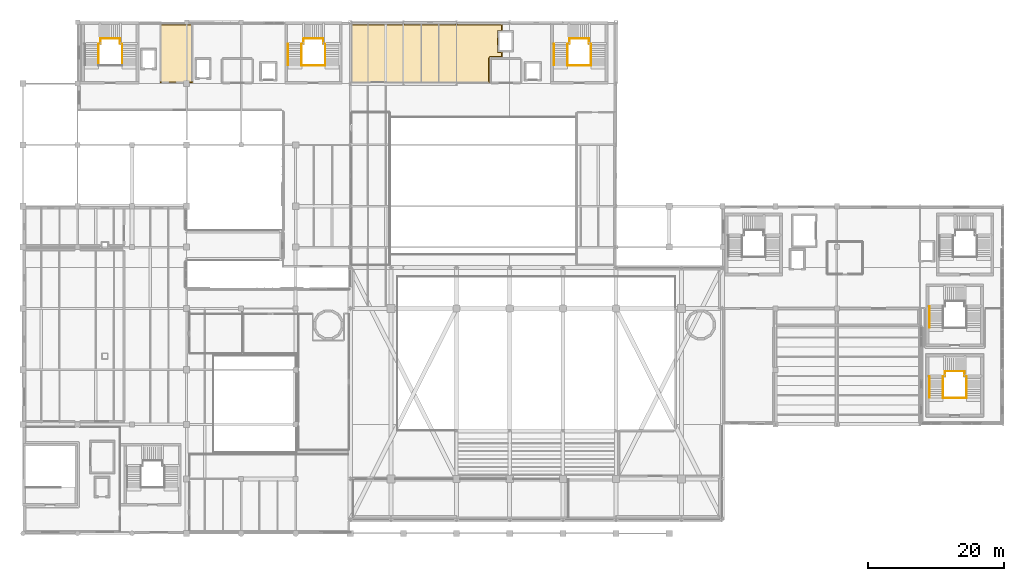
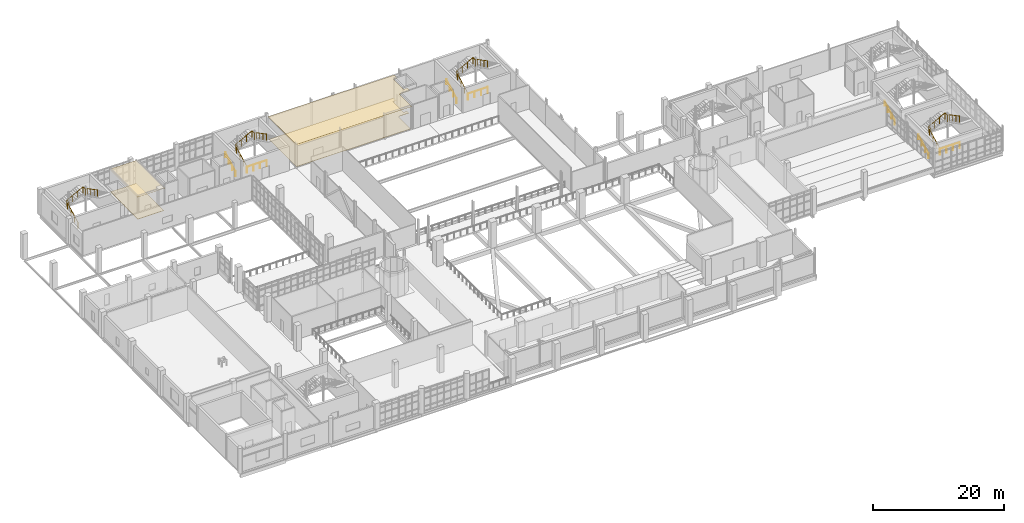
# One storey, part 99 of 100: 11 railings, 4 coverings.
"""IFC4 building model written with IfcOpenShell, lengths in metres."""

from ifc_helpers import new_model, si_unit, derived_unit, direction, frame, origin, origin_2d, place, context, subcontext, project, spatial, polyline, circle, outline, extrude, material, layer, layer_set, type_object, element, save


model = new_model("IFC4")

# Units and contexts
model_context = context("Model", 3, precision=1e-05, world=origin(), true_north=direction((0.0, 1.0)))
body_context = subcontext(model_context, "Body", "Model", "MODEL_VIEW")
ifc_project = project(units=[si_unit("LENGTHUNIT", "METRE"), si_unit("AREAUNIT", "SQUARE_METRE"), si_unit("VOLUMEUNIT", "CUBIC_METRE"), si_unit("PLANEANGLEUNIT", "RADIAN"), si_unit("MASSUNIT", "GRAM", prefix="KILO"), derived_unit("THERMALTRANSMITTANCEUNIT", [(si_unit("POWERUNIT", "WATT"), 1), (si_unit("LENGTHUNIT", "METRE"), -2), (si_unit("THERMODYNAMICTEMPERATUREUNIT", "KELVIN"), -1)])], contexts=[model_context])

# Site, building, storey
site_placement = place(None, origin())
site = spatial("IfcSite", under=ifc_project, at=site_placement, CompositionType="ELEMENT")
building_placement = place(site_placement, origin())
building = spatial("IfcBuilding", under=site, at=building_placement, Name="Nallur Shell Playhouse", CompositionType="ELEMENT")
storey_placement = place(building_placement, frame((0.0, 0.0, 10.199951171875)))
storey = spatial("IfcBuildingStorey", under=building, at=storey_placement, Name="L03", CompositionType="ELEMENT", Elevation=10.199951171875)

# Coverings
ifc_material_1 = material(Name="Micro-Perforated Teak Veneer Acoustic Baffle Ceiling")
ifc_layer_1 = layer(ifc_material_1, 0.044921875)
ifc_layer_set_1 = layer_set([ifc_layer_1], Name="Micro-Perforated Teak Veneer Acoustic Baffle Ceiling")
covering_type_1 = type_object("IfcCoveringType", Name="CV-CEIL-AC1", PredefinedType="CEILING", material=ifc_layer_set_1)
covering_1_placement = place(storey_placement, frame((0.0, 0.0, 4.205078125)))
element("IfcCovering", 1, at=covering_1_placement, inside=storey, type_object=covering_type_1, Name="Set & Lighting Designers Drafting Studio suspended acoustic ceiling", PredefinedType="CEILING", context=body_context, shape_type="SweptSolid", body=[
    extrude(outline(polyline([(84.59912109375, 77.8701171875), (84.585205078125, 77.869384765625), (84.580810546875, 77.868896484375), (84.569580078125, 77.8671875), (84.56494140625, 77.8662109375), (84.552978515625, 77.86328125), (84.548583984375, 77.86181640625), (84.537109375, 77.85791015625), (84.533447265625, 77.856201171875), (84.521728515625, 77.850830078125), (84.517822265625, 77.8486328125), (84.50732421875, 77.84228515625), (84.50341796875, 77.83984375), (84.494384765625, 77.8330078125), (84.490966796875, 77.830078125), (84.4814453125, 77.821533203125), (84.478515625, 77.818603515625), (84.4697265625, 77.80908203125), (84.466796875, 77.8056640625), (84.460205078125, 77.796630859375), (84.457763671875, 77.792724609375), (84.451416015625, 77.7822265625), (84.44921875, 77.7783203125), (84.443603515625, 77.7666015625), (84.442138671875, 77.7626953125), (84.43798828125, 77.75146484375), (84.436767578125, 77.7470703125), (84.433837890625, 77.735107421875), (84.432861328125, 77.73046875), (84.43115234375, 77.71923828125), (84.4306640625, 77.714599609375), (84.429931640625, 77.700927734375), (84.429931640625, 77.698974609375), (84.429931640625, 74.090087890625), (64.090087890625, 74.090087890625), (64.090087890625, 82.7099609375), (86.31005859375, 82.7099609375), (86.31005859375, 81.7099609375), (85.68994140625, 81.7099609375), (85.68994140625, 78.68994140625), (86.31005859375, 78.68994140625), (86.31005859375, 77.8701171875), (84.60107421875, 77.8701171875), (84.59912109375, 77.8701171875)])), origin(), (0.0, 0.0, 1.0), 0.044921875),
])
ifc_material_2 = material(Name="Mineral-Fibre High-NRC Suspended Ceiling Tile")
ifc_layer_2 = layer(ifc_material_2, 0.030029296875)
ifc_layer_set_2 = layer_set([ifc_layer_2], Name="Mineral-Fibre High-NRC Suspended Ceiling Tile")
covering_type_2 = type_object("IfcCoveringType", Name="CV-CEIL-AC2", PredefinedType="CEILING", material=ifc_layer_set_2)
covering_2_placement = place(storey_placement, frame((0.0, 0.0, 4.219970703125)))
element("IfcCovering", 2, at=covering_2_placement, inside=storey, type_object=covering_type_2, Name="Millinery, Dyeing & Mask Craft Studio suspended acoustic ceiling", PredefinedType="CEILING", context=body_context, shape_type="SweptSolid", body=[
    extrude(outline(polyline([(40.909912109375, 82.7099609375), (40.909912109375, 74.090087890625), (36.090087890625, 74.090087890625), (36.090087890625, 82.7099609375), (40.909912109375, 82.7099609375)])), origin(), (0.0, 0.0, 1.0), 0.030029296875),
])
ifc_material_3 = material(Name="Polished Chettinad Oxide & White Marble Terrazzo Flooring", Category="masonry")
ifc_layer_3 = layer(ifc_material_3, 0.050048828125)
ifc_layer_set_3 = layer_set([ifc_layer_3], Name="Polished Chettinad Oxide & White Marble Terrazzo Flooring")
covering_type_3 = type_object("IfcCoveringType", Name="CV-FLOR-TERRAZZO", PredefinedType="FLOORING", material=ifc_layer_set_3)
covering_3_placement = place(storey_placement, origin())
element("IfcCovering", 3, at=covering_3_placement, inside=storey, type_object=covering_type_3, Name="Millinery, Dyeing & Mask Craft Studio floor finish", PredefinedType="FLOORING", context=body_context, shape_type="SweptSolid", body=[
    extrude(outline(polyline([(40.800048828125, 82.60009765625), (40.800048828125, 74.199951171875), (36.199951171875, 74.199951171875), (36.199951171875, 82.60009765625), (40.800048828125, 82.60009765625)])), origin(), (0.0, 0.0, 1.0), 0.050048828125),
])
ifc_material_4 = material(Name="Sprung Semi-Resilient Stage & Dance Hardwood Flooring", Category="wood")
ifc_layer_4 = layer(ifc_material_4, 0.054931640625)
ifc_layer_set_4 = layer_set([ifc_layer_4], Name="Sprung Semi-Resilient Stage & Dance Hardwood Flooring")
covering_type_4 = type_object("IfcCoveringType", Name="CV-FLOR-TIMBER", PredefinedType="FLOORING", material=ifc_layer_set_4)
covering_4_placement = place(storey_placement, origin())
element("IfcCovering", 4, at=covering_4_placement, inside=storey, type_object=covering_type_4, Name="Set & Lighting Designers Drafting Studio floor finish", PredefinedType="FLOORING", context=body_context, shape_type="SweptSolid", body=[
    extrude(outline(polyline([(85.6328125, 81.80810546875), (85.62451171875, 81.802978515625), (85.61669921875, 81.79736328125), (85.609375, 81.790771484375), (85.602783203125, 81.783447265625), (85.596923828125, 81.775634765625), (85.591796875, 81.76708984375), (85.587646484375, 81.75830078125), (85.584228515625, 81.7490234375), (85.581787109375, 81.739501953125), (85.58056640625, 81.729736328125), (85.580078125, 81.719970703125), (85.580078125, 78.679931640625), (85.58056640625, 78.670166015625), (85.581787109375, 78.660400390625), (85.584228515625, 78.65087890625), (85.587646484375, 78.6416015625), (85.591796875, 78.6328125), (85.596923828125, 78.62451171875), (85.602783203125, 78.61669921875), (85.609375, 78.609375), (85.61669921875, 78.602783203125), (85.62451171875, 78.596923828125), (85.6328125, 78.591796875), (85.6416015625, 78.587646484375), (85.65087890625, 78.584228515625), (85.660400390625, 78.581787109375), (85.670166015625, 78.58056640625), (85.679931640625, 78.580078125), (86.199951171875, 78.580078125), (86.199951171875, 77.97998046875), (84.60009765625, 77.97998046875), (84.59521484375, 77.97998046875), (84.577392578125, 77.97900390625), (84.567626953125, 77.97802734375), (84.55029296875, 77.9755859375), (84.54052734375, 77.973388671875), (84.5234375, 77.96923828125), (84.51416015625, 77.96630859375), (84.497314453125, 77.96044921875), (84.48828125, 77.956787109375), (84.472412109375, 77.94921875), (84.463623046875, 77.944580078125), (84.448486328125, 77.935302734375), (84.4404296875, 77.929931640625), (84.42626953125, 77.91943359375), (84.418701171875, 77.9130859375), (84.405517578125, 77.9013671875), (84.398681640625, 77.894287109375), (84.38671875, 77.88134765625), (84.380615234375, 77.873779296875), (84.3701171875, 77.859619140625), (84.364501953125, 77.851318359375), (84.35546875, 77.836181640625), (84.350830078125, 77.82763671875), (84.34326171875, 77.8115234375), (84.339599609375, 77.802490234375), (84.33349609375, 77.785888671875), (84.330810546875, 77.776611328125), (84.326416015625, 77.759521484375), (84.324462890625, 77.749755859375), (84.322021484375, 77.732421875), (84.321044921875, 77.722412109375), (84.320068359375, 77.704833984375), (84.320068359375, 77.699951171875), (84.320068359375, 74.199951171875), (64.199951171875, 74.199951171875), (64.199951171875, 82.60009765625), (86.199951171875, 82.60009765625), (86.199951171875, 81.820068359375), (85.679931640625, 81.820068359375), (85.670166015625, 81.819580078125), (85.660400390625, 81.818115234375), (85.65087890625, 81.815673828125), (85.6416015625, 81.8125), (85.6328125, 81.80810546875)])), origin(), (0.0, 0.0, 1.0), 0.054931640625),
])

# Railings
ifc_material_5 = material(Name="Brushed Stainless Steel 316 Balustrade & Toughened Infill", Category="steel")
railing_type_1 = type_object("IfcRailingType", Name="RL-GUARD-1100", PredefinedType="BALUSTRADE", material=ifc_material_5)
railing_1_placement = place(storey_placement, frame((56.860107421875, 76.699951171875, 0.0)))
element("IfcRailing", 5, at=railing_1_placement, inside=storey, type_object=railing_type_1, Name="Stair ST-03-L03 inner open-well guard", PredefinedType="BALUSTRADE", context=body_context, shape_type="SweptSolid", body=[
    extrude(circle(Radius=0.02392578125, at=origin_2d()), frame((0.0, 0.0, 1.15576171875), z_axis=(0.0, 0.885215135385, 0.465181861302), x_axis=(-1.0, 0.0, 0.0)), (0.0, 0.0, 1.0), 3.54736328125),
    extrude(circle(Radius=0.02392578125, at=origin_2d()), frame((0.0, 3.14013671875, 2.80615234375), z_axis=(1.0, 0.0, 0.0), x_axis=(0.0, 1.0, 0.0)), (0.0, 0.0, 1.0), 0.304931640625),
    extrude(circle(Radius=0.02392578125, at=origin_2d()), frame((0.304931640625, 3.14013671875, 2.80615234375), z_axis=(0.0, 1.0, 0.0), x_axis=(-1.0, 0.0, 0.0)), (0.0, 0.0, 1.0), 0.760009765625),
    extrude(circle(Radius=0.02392578125, at=origin_2d()), frame((0.304931640625, 3.900146484375, 2.80615234375), z_axis=(0.886245843587, 0.0, 0.46321518188), x_axis=(0.0, 1.0, 0.0)), (0.0, 0.0, 1.0), 3.23828125),
    extrude(circle(Radius=0.02392578125, at=origin_2d()), frame((3.1748046875, 3.900146484375, 4.30615234375), z_axis=(0.0, -1.0, 0.0), x_axis=(1.0, 0.0, 0.0)), (0.0, 0.0, 1.0), 0.760009765625),
    extrude(circle(Radius=0.02392578125, at=origin_2d()), frame((3.1748046875, 3.14013671875, 4.30615234375), z_axis=(1.0, 0.0, 0.0), x_axis=(0.0, 1.0, 0.0)), (0.0, 0.0, 1.0), 0.30517578125),
    extrude(circle(Radius=0.02392578125, at=origin_2d()), frame((3.47998046875, 3.14013671875, 4.30615234375), z_axis=(0.0, -0.885243475438, 0.465127927773), x_axis=(1.0, 0.0, 0.0)), (0.0, 0.0, 1.0), 3.547119140625),
    extrude(circle(Radius=0.02099609375, at=origin_2d()), origin(), (0.0, 0.0, 1.0), 1.1318359375),
    extrude(circle(Radius=0.02099609375, at=origin_2d()), frame((0.0, 1.046630859375, 0.550048828125)), (0.0, 0.0, 1.0), 1.1318359375),
    extrude(circle(Radius=0.02099609375, at=origin_2d()), frame((0.0, 2.093505859375, 1.10009765625)), (0.0, 0.0, 1.0), 1.1318359375),
    extrude(circle(Radius=0.02099609375, at=origin_2d()), frame((0.0, 3.14013671875, 1.650146484375)), (0.0, 0.0, 1.0), 1.1318359375),
    extrude(circle(Radius=0.02099609375, at=origin_2d()), frame((0.304931640625, 3.14013671875, 1.650146484375)), (0.0, 0.0, 1.0), 1.1318359375),
    extrude(circle(Radius=0.02099609375, at=origin_2d()), frame((0.304931640625, 3.900146484375, 1.650146484375)), (0.0, 0.0, 1.0), 1.1318359375),
    extrude(circle(Radius=0.02099609375, at=origin_2d()), frame((1.261474609375, 3.900146484375, 2.150146484375)), (0.0, 0.0, 1.0), 1.1318359375),
    extrude(circle(Radius=0.02099609375, at=origin_2d()), frame((2.21826171875, 3.900146484375, 2.650146484375)), (0.0, 0.0, 1.0), 1.1318359375),
    extrude(circle(Radius=0.02099609375, at=origin_2d()), frame((3.1748046875, 3.900146484375, 3.150146484375)), (0.0, 0.0, 1.0), 1.1318359375),
    extrude(circle(Radius=0.02099609375, at=origin_2d()), frame((3.1748046875, 3.14013671875, 3.150146484375)), (0.0, 0.0, 1.0), 1.1318359375),
    extrude(circle(Radius=0.02099609375, at=origin_2d()), frame((3.47998046875, 3.14013671875, 3.150146484375)), (0.0, 0.0, 1.0), 1.1318359375),
    extrude(circle(Radius=0.02099609375, at=origin_2d()), frame((3.47998046875, 2.093505859375, 3.7001953125)), (0.0, 0.0, 1.0), 1.1318359375),
    extrude(circle(Radius=0.02099609375, at=origin_2d()), frame((3.47998046875, 1.046630859375, 4.25)), (0.0, 0.0, 1.0), 1.1318359375),
    extrude(circle(Radius=0.02099609375, at=origin_2d()), frame((3.47998046875, 0.0, 4.800048828125)), (0.0, 0.0, 1.0), 1.1318359375),
])
railing_2_placement = place(storey_placement, frame((56.860107421875, 76.639892578125, 0.0)))
element("IfcRailing", 6, at=railing_2_placement, inside=storey, type_object=railing_type_1, Name="Stair ST-03-L03 floor-well guard", PredefinedType="BALUSTRADE", context=body_context, shape_type="SweptSolid", body=[
    extrude(circle(Radius=0.02392578125, at=origin_2d()), frame((0.0, 0.0, 1.09619140625), z_axis=(1.0, 0.0, 0.0), x_axis=(0.0, 1.0, 0.0)), (0.0, 0.0, 1.0), 3.47998046875),
    extrude(circle(Radius=0.02099609375, at=origin_2d()), origin(), (0.0, 0.0, 1.0), 1.072021484375),
    extrude(circle(Radius=0.02099609375, at=origin_2d()), frame((1.159912109375, 0.0, 0.0)), (0.0, 0.0, 1.0), 1.072021484375),
    extrude(circle(Radius=0.02099609375, at=origin_2d()), frame((2.320068359375, 0.0, 0.0)), (0.0, 0.0, 1.0), 1.072021484375),
    extrude(circle(Radius=0.02099609375, at=origin_2d()), frame((3.47998046875, 0.0, 0.0)), (0.0, 0.0, 1.0), 1.072021484375),
])
railing_3_placement = place(storey_placement, frame((95.860107421875, 76.699951171875, 0.0)))
element("IfcRailing", 7, at=railing_3_placement, inside=storey, type_object=railing_type_1, Name="Stair ST-04-L03 inner open-well guard", PredefinedType="BALUSTRADE", context=body_context, shape_type="SweptSolid", body=[
    extrude(circle(Radius=0.02392578125, at=origin_2d()), frame((0.0, 0.0, 1.15576171875), z_axis=(0.0, 0.885215135385, 0.465181861302), x_axis=(-1.0, 0.0, 0.0)), (0.0, 0.0, 1.0), 3.54736328125),
    extrude(circle(Radius=0.02392578125, at=origin_2d()), frame((0.0, 3.14013671875, 2.80615234375), z_axis=(1.0, 0.0, 0.0), x_axis=(0.0, 1.0, 0.0)), (0.0, 0.0, 1.0), 0.304931640625),
    extrude(circle(Radius=0.02392578125, at=origin_2d()), frame((0.304931640625, 3.14013671875, 2.80615234375), z_axis=(0.0, 1.0, 0.0), x_axis=(-1.0, 0.0, 0.0)), (0.0, 0.0, 1.0), 0.760009765625),
    extrude(circle(Radius=0.02392578125, at=origin_2d()), frame((0.304931640625, 3.900146484375, 2.80615234375), z_axis=(0.886245843587, 0.0, 0.46321518188), x_axis=(0.0, 1.0, 0.0)), (0.0, 0.0, 1.0), 3.23828125),
    extrude(circle(Radius=0.02392578125, at=origin_2d()), frame((3.1748046875, 3.900146484375, 4.30615234375), z_axis=(0.0, -1.0, 0.0), x_axis=(1.0, 0.0, 0.0)), (0.0, 0.0, 1.0), 0.760009765625),
    extrude(circle(Radius=0.02392578125, at=origin_2d()), frame((3.1748046875, 3.14013671875, 4.30615234375), z_axis=(1.0, 0.0, 0.0), x_axis=(0.0, 1.0, 0.0)), (0.0, 0.0, 1.0), 0.30517578125),
    extrude(circle(Radius=0.02392578125, at=origin_2d()), frame((3.47998046875, 3.14013671875, 4.30615234375), z_axis=(0.0, -0.885243475438, 0.465127927773), x_axis=(1.0, 0.0, 0.0)), (0.0, 0.0, 1.0), 3.547119140625),
    extrude(circle(Radius=0.02099609375, at=origin_2d()), origin(), (0.0, 0.0, 1.0), 1.1318359375),
    extrude(circle(Radius=0.02099609375, at=origin_2d()), frame((0.0, 1.046630859375, 0.550048828125)), (0.0, 0.0, 1.0), 1.1318359375),
    extrude(circle(Radius=0.02099609375, at=origin_2d()), frame((0.0, 2.093505859375, 1.10009765625)), (0.0, 0.0, 1.0), 1.1318359375),
    extrude(circle(Radius=0.02099609375, at=origin_2d()), frame((0.0, 3.14013671875, 1.650146484375)), (0.0, 0.0, 1.0), 1.1318359375),
    extrude(circle(Radius=0.02099609375, at=origin_2d()), frame((0.304931640625, 3.14013671875, 1.650146484375)), (0.0, 0.0, 1.0), 1.1318359375),
    extrude(circle(Radius=0.02099609375, at=origin_2d()), frame((0.304931640625, 3.900146484375, 1.650146484375)), (0.0, 0.0, 1.0), 1.1318359375),
    extrude(circle(Radius=0.02099609375, at=origin_2d()), frame((1.261474609375, 3.900146484375, 2.150146484375)), (0.0, 0.0, 1.0), 1.1318359375),
    extrude(circle(Radius=0.02099609375, at=origin_2d()), frame((2.21826171875, 3.900146484375, 2.650146484375)), (0.0, 0.0, 1.0), 1.1318359375),
    extrude(circle(Radius=0.02099609375, at=origin_2d()), frame((3.1748046875, 3.900146484375, 3.150146484375)), (0.0, 0.0, 1.0), 1.1318359375),
    extrude(circle(Radius=0.02099609375, at=origin_2d()), frame((3.1748046875, 3.14013671875, 3.150146484375)), (0.0, 0.0, 1.0), 1.1318359375),
    extrude(circle(Radius=0.02099609375, at=origin_2d()), frame((3.47998046875, 3.14013671875, 3.150146484375)), (0.0, 0.0, 1.0), 1.1318359375),
    extrude(circle(Radius=0.02099609375, at=origin_2d()), frame((3.47998046875, 2.093505859375, 3.7001953125)), (0.0, 0.0, 1.0), 1.1318359375),
    extrude(circle(Radius=0.02099609375, at=origin_2d()), frame((3.47998046875, 1.046630859375, 4.25)), (0.0, 0.0, 1.0), 1.1318359375),
    extrude(circle(Radius=0.02099609375, at=origin_2d()), frame((3.47998046875, 0.0, 4.800048828125)), (0.0, 0.0, 1.0), 1.1318359375),
])
railing_4_placement = place(storey_placement, frame((95.860107421875, 76.639892578125, 0.0)))
element("IfcRailing", 8, at=railing_4_placement, inside=storey, type_object=railing_type_1, Name="Stair ST-04-L03 floor-well guard", PredefinedType="BALUSTRADE", context=body_context, shape_type="SweptSolid", body=[
    extrude(circle(Radius=0.02392578125, at=origin_2d()), frame((0.0, 0.0, 1.09619140625), z_axis=(1.0, 0.0, 0.0), x_axis=(0.0, 1.0, 0.0)), (0.0, 0.0, 1.0), 3.47998046875),
    extrude(circle(Radius=0.02099609375, at=origin_2d()), origin(), (0.0, 0.0, 1.0), 1.072021484375),
    extrude(circle(Radius=0.02099609375, at=origin_2d()), frame((1.159912109375, 0.0, 0.0)), (0.0, 0.0, 1.0), 1.072021484375),
    extrude(circle(Radius=0.02099609375, at=origin_2d()), frame((2.320068359375, 0.0, 0.0)), (0.0, 0.0, 1.0), 1.072021484375),
    extrude(circle(Radius=0.02099609375, at=origin_2d()), frame((3.47998046875, 0.0, 0.0)), (0.0, 0.0, 1.0), 1.072021484375),
])
railing_5_placement = place(storey_placement, frame((27.06005859375, 76.699951171875, 0.0)))
element("IfcRailing", 9, at=railing_5_placement, inside=storey, type_object=railing_type_1, Name="Stair ST-06-L03 inner open-well guard", PredefinedType="BALUSTRADE", context=body_context, shape_type="SweptSolid", body=[
    extrude(circle(Radius=0.02392578125, at=origin_2d()), frame((0.0, 0.0, 1.15576171875), z_axis=(0.0, 0.885215135385, 0.465181861302), x_axis=(-1.0, 0.0, 0.0)), (0.0, 0.0, 1.0), 3.54736328125),
    extrude(circle(Radius=0.02392578125, at=origin_2d()), frame((0.0, 3.14013671875, 2.80615234375), z_axis=(1.0, 0.0, 0.0), x_axis=(0.0, 1.0, 0.0)), (0.0, 0.0, 1.0), 0.304931640625),
    extrude(circle(Radius=0.02392578125, at=origin_2d()), frame((0.304931640625, 3.14013671875, 2.80615234375), z_axis=(0.0, 1.0, 0.0), x_axis=(-1.0, 0.0, 0.0)), (0.0, 0.0, 1.0), 0.760009765625),
    extrude(circle(Radius=0.02392578125, at=origin_2d()), frame((0.304931640625, 3.900146484375, 2.80615234375), z_axis=(0.886262018935, 0.0, 0.463184233101), x_axis=(0.0, 1.0, 0.0)), (0.0, 0.0, 1.0), 3.238525390625),
    extrude(circle(Radius=0.02392578125, at=origin_2d()), frame((3.175048828125, 3.900146484375, 4.30615234375), z_axis=(0.0, -1.0, 0.0), x_axis=(1.0, 0.0, 0.0)), (0.0, 0.0, 1.0), 0.760009765625),
    extrude(circle(Radius=0.02392578125, at=origin_2d()), frame((3.175048828125, 3.14013671875, 4.30615234375), z_axis=(1.0, 0.0, 0.0), x_axis=(0.0, 1.0, 0.0)), (0.0, 0.0, 1.0), 0.304931640625),
    extrude(circle(Radius=0.02392578125, at=origin_2d()), frame((3.47998046875, 3.14013671875, 4.30615234375), z_axis=(0.0, -0.885243475438, 0.465127927773), x_axis=(1.0, 0.0, 0.0)), (0.0, 0.0, 1.0), 3.547119140625),
    extrude(circle(Radius=0.02099609375, at=origin_2d()), origin(), (0.0, 0.0, 1.0), 1.1318359375),
    extrude(circle(Radius=0.02099609375, at=origin_2d()), frame((0.0, 1.046630859375, 0.550048828125)), (0.0, 0.0, 1.0), 1.1318359375),
    extrude(circle(Radius=0.02099609375, at=origin_2d()), frame((0.0, 2.093505859375, 1.10009765625)), (0.0, 0.0, 1.0), 1.1318359375),
    extrude(circle(Radius=0.02099609375, at=origin_2d()), frame((0.0, 3.14013671875, 1.650146484375)), (0.0, 0.0, 1.0), 1.1318359375),
    extrude(circle(Radius=0.02099609375, at=origin_2d()), frame((0.304931640625, 3.14013671875, 1.650146484375)), (0.0, 0.0, 1.0), 1.1318359375),
    extrude(circle(Radius=0.02099609375, at=origin_2d()), frame((0.304931640625, 3.900146484375, 1.650146484375)), (0.0, 0.0, 1.0), 1.1318359375),
    extrude(circle(Radius=0.02099609375, at=origin_2d()), frame((1.26171875, 3.900146484375, 2.150146484375)), (0.0, 0.0, 1.0), 1.1318359375),
    extrude(circle(Radius=0.02099609375, at=origin_2d()), frame((2.21826171875, 3.900146484375, 2.650146484375)), (0.0, 0.0, 1.0), 1.1318359375),
    extrude(circle(Radius=0.02099609375, at=origin_2d()), frame((3.175048828125, 3.900146484375, 3.150146484375)), (0.0, 0.0, 1.0), 1.1318359375),
    extrude(circle(Radius=0.02099609375, at=origin_2d()), frame((3.175048828125, 3.14013671875, 3.150146484375)), (0.0, 0.0, 1.0), 1.1318359375),
    extrude(circle(Radius=0.02099609375, at=origin_2d()), frame((3.47998046875, 3.14013671875, 3.150146484375)), (0.0, 0.0, 1.0), 1.1318359375),
    extrude(circle(Radius=0.02099609375, at=origin_2d()), frame((3.47998046875, 2.093505859375, 3.7001953125)), (0.0, 0.0, 1.0), 1.1318359375),
    extrude(circle(Radius=0.02099609375, at=origin_2d()), frame((3.47998046875, 1.046630859375, 4.25)), (0.0, 0.0, 1.0), 1.1318359375),
    extrude(circle(Radius=0.02099609375, at=origin_2d()), frame((3.47998046875, 0.0, 4.800048828125)), (0.0, 0.0, 1.0), 1.1318359375),
])
railing_6_placement = place(storey_placement, frame((150.9599609375, 27.89990234375, 0.0)))
element("IfcRailing", 10, at=railing_6_placement, inside=storey, type_object=railing_type_1, Name="Stair ST-08-L03 inner open-well guard", PredefinedType="BALUSTRADE", context=body_context, shape_type="SweptSolid", body=[
    extrude(circle(Radius=0.02392578125, at=origin_2d()), frame((0.0, 0.0, 1.15576171875), z_axis=(0.0, 0.885215135385, 0.465181861302), x_axis=(-1.0, 0.0, 0.0)), (0.0, 0.0, 1.0), 3.54736328125),
    extrude(circle(Radius=0.02392578125, at=origin_2d()), frame((0.0, 3.14013671875, 2.80615234375), z_axis=(1.0, 0.0, 0.0), x_axis=(0.0, 1.0, 0.0)), (0.0, 0.0, 1.0), 0.304931640625),
    extrude(circle(Radius=0.02392578125, at=origin_2d()), frame((0.304931640625, 3.14013671875, 2.80615234375), z_axis=(0.0, 1.0, 0.0), x_axis=(-1.0, 0.0, 0.0)), (0.0, 0.0, 1.0), 0.760009765625),
    extrude(circle(Radius=0.02392578125, at=origin_2d()), frame((0.304931640625, 3.900146484375, 2.80615234375), z_axis=(0.886262018935, 0.0, 0.463184233101), x_axis=(0.0, 1.0, 0.0)), (0.0, 0.0, 1.0), 3.238525390625),
    extrude(circle(Radius=0.02392578125, at=origin_2d()), frame((3.175048828125, 3.900146484375, 4.30615234375), z_axis=(0.0, -1.0, 0.0), x_axis=(1.0, 0.0, 0.0)), (0.0, 0.0, 1.0), 0.760009765625),
    extrude(circle(Radius=0.02392578125, at=origin_2d()), frame((3.175048828125, 3.14013671875, 4.30615234375), z_axis=(1.0, 0.0, 0.0), x_axis=(0.0, 1.0, 0.0)), (0.0, 0.0, 1.0), 0.304931640625),
    extrude(circle(Radius=0.02392578125, at=origin_2d()), frame((3.47998046875, 3.14013671875, 4.30615234375), z_axis=(0.0, -0.885243475438, 0.465127927773), x_axis=(1.0, 0.0, 0.0)), (0.0, 0.0, 1.0), 3.547119140625),
    extrude(circle(Radius=0.02099609375, at=origin_2d()), origin(), (0.0, 0.0, 1.0), 1.1318359375),
    extrude(circle(Radius=0.02099609375, at=origin_2d()), frame((0.0, 1.046630859375, 0.550048828125)), (0.0, 0.0, 1.0), 1.1318359375),
    extrude(circle(Radius=0.02099609375, at=origin_2d()), frame((0.0, 2.093505859375, 1.10009765625)), (0.0, 0.0, 1.0), 1.1318359375),
    extrude(circle(Radius=0.02099609375, at=origin_2d()), frame((0.0, 3.14013671875, 1.650146484375)), (0.0, 0.0, 1.0), 1.1318359375),
    extrude(circle(Radius=0.02099609375, at=origin_2d()), frame((0.304931640625, 3.14013671875, 1.650146484375)), (0.0, 0.0, 1.0), 1.1318359375),
    extrude(circle(Radius=0.02099609375, at=origin_2d()), frame((0.304931640625, 3.900146484375, 1.650146484375)), (0.0, 0.0, 1.0), 1.1318359375),
    extrude(circle(Radius=0.02099609375, at=origin_2d()), frame((1.26171875, 3.900146484375, 2.150146484375)), (0.0, 0.0, 1.0), 1.1318359375),
    extrude(circle(Radius=0.02099609375, at=origin_2d()), frame((2.21826171875, 3.900146484375, 2.650146484375)), (0.0, 0.0, 1.0), 1.1318359375),
    extrude(circle(Radius=0.02099609375, at=origin_2d()), frame((3.175048828125, 3.900146484375, 3.150146484375)), (0.0, 0.0, 1.0), 1.1318359375),
    extrude(circle(Radius=0.02099609375, at=origin_2d()), frame((3.175048828125, 3.14013671875, 3.150146484375)), (0.0, 0.0, 1.0), 1.1318359375),
    extrude(circle(Radius=0.02099609375, at=origin_2d()), frame((3.47998046875, 3.14013671875, 3.150146484375)), (0.0, 0.0, 1.0), 1.1318359375),
    extrude(circle(Radius=0.02099609375, at=origin_2d()), frame((3.47998046875, 2.093505859375, 3.7001953125)), (0.0, 0.0, 1.0), 1.1318359375),
    extrude(circle(Radius=0.02099609375, at=origin_2d()), frame((3.47998046875, 1.046630859375, 4.25)), (0.0, 0.0, 1.0), 1.1318359375),
    extrude(circle(Radius=0.02099609375, at=origin_2d()), frame((3.47998046875, 0.0, 4.800048828125)), (0.0, 0.0, 1.0), 1.1318359375),
])
railing_7_placement = place(storey_placement, frame((150.9599609375, 27.840087890625, 0.0)))
element("IfcRailing", 11, at=railing_7_placement, inside=storey, type_object=railing_type_1, Name="Stair ST-08-L03 floor-well guard", PredefinedType="BALUSTRADE", context=body_context, shape_type="SweptSolid", body=[
    extrude(circle(Radius=0.02392578125, at=origin_2d()), frame((0.0, 0.0, 1.09619140625), z_axis=(1.0, 0.0, 0.0), x_axis=(0.0, 1.0, 0.0)), (0.0, 0.0, 1.0), 3.47998046875),
    extrude(circle(Radius=0.02099609375, at=origin_2d()), origin(), (0.0, 0.0, 1.0), 1.072021484375),
    extrude(circle(Radius=0.02099609375, at=origin_2d()), frame((1.159912109375, 0.0, 0.0)), (0.0, 0.0, 1.0), 1.072021484375),
    extrude(circle(Radius=0.02099609375, at=origin_2d()), frame((2.320068359375, 0.0, 0.0)), (0.0, 0.0, 1.0), 1.072021484375),
    extrude(circle(Radius=0.02099609375, at=origin_2d()), frame((3.47998046875, 0.0, 0.0)), (0.0, 0.0, 1.0), 1.072021484375),
])
ifc_material_6 = material(Name="Stainless Steel 316 Continuous Tubular Handrail", Category="steel")
railing_type_2 = type_object("IfcRailingType", Name="RL-HANDRAIL-900", PredefinedType="HANDRAIL", material=ifc_material_6)
for number, where, name in (
    (12, (54.8798828125, 76.699951171875, 0.0), "Stair ST-03-L03 outer handrail F1"),
    (13, (93.8798828125, 76.699951171875, 0.0), "Stair ST-04-L03 outer handrail F1"),
    (14, (148.97998046875, 27.89990234375, 0.0), "Stair ST-08-L03 outer handrail F1"),
    (15, (148.97998046875, 38.199951171875, 0.0), "Stair ST-09-L03 outer handrail F1"),
):
    element("IfcRailing", number, at=place(storey_placement, frame(where)), inside=storey, type_object=railing_type_2, Name=name, PredefinedType="HANDRAIL", context=body_context, shape_type="SweptSolid", body=[
        extrude(circle(Radius=0.02392578125, at=origin_2d()), frame((0.0, 0.0, 0.89599609375), z_axis=(0.0, 0.882735597669, 0.469870050767), x_axis=(-1.0, 0.0, 0.0)), (0.0, 0.0, 1.0), 3.511962890625),
        extrude(circle(Radius=0.02099609375, at=origin_2d()), origin(), (0.0, 0.0, 1.0), 0.871826171875),
        extrude(circle(Radius=0.02099609375, at=origin_2d()), frame((0.0, 1.033447265625, 0.550048828125)), (0.0, 0.0, 1.0), 0.871826171875),
        extrude(circle(Radius=0.02099609375, at=origin_2d()), frame((0.0, 2.066650390625, 1.10009765625)), (0.0, 0.0, 1.0), 0.871826171875),
        extrude(circle(Radius=0.02099609375, at=origin_2d()), frame((0.0, 3.10009765625, 1.650146484375)), (0.0, 0.0, 1.0), 0.871826171875),
    ])

save(model, "model.ifc")
